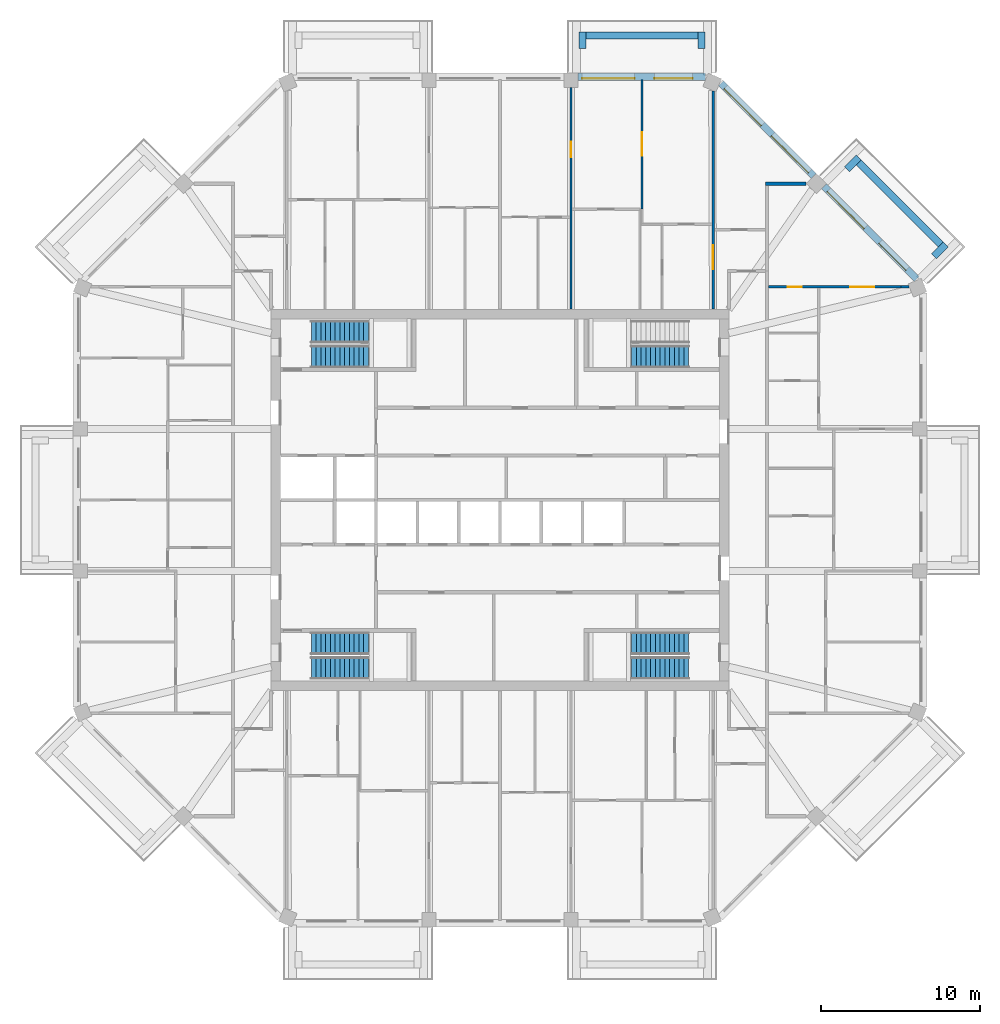
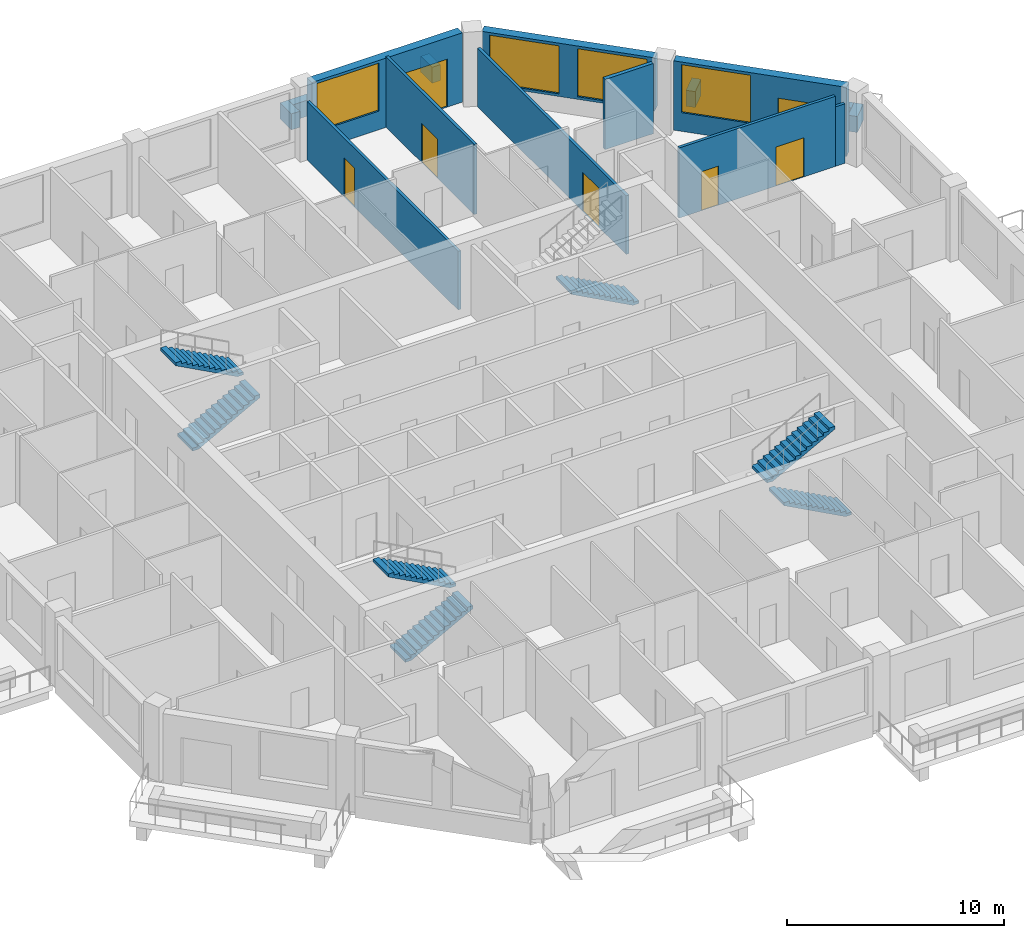
# One storey, part 10 of 13: 15 walls, 7 doors, 7 stair flights, 4 windows, 11 openings, 4 elements without a shape of their own.
"""IFC4 building model written with IfcOpenShell, lengths in metres."""

from ifc_helpers import new_model, si_unit, direction, frame, frame_2d, origin, place, context, subcontext, project, spatial, polyline, rectangle, outline, extrude, material, layer, layer_set, type_object, element, fill, aggregate, save


model = new_model("IFC4")

# Units and contexts
model_context = context("Model", 3, precision=1e-05, world=origin(), true_north=direction((0.0, 1.0)))
body_context = subcontext(model_context, "Body", "Model", "MODEL_VIEW")
ifc_project = project(units=[si_unit("LENGTHUNIT", "METRE"), si_unit("AREAUNIT", "SQUARE_METRE"), si_unit("VOLUMEUNIT", "CUBIC_METRE"), si_unit("PLANEANGLEUNIT", "RADIAN"), si_unit("MASSUNIT", "GRAM", prefix="KILO")], contexts=[model_context])

# Site, building, storey
site_placement = place(None, origin())
site = spatial("IfcSite", under=ifc_project, at=site_placement, CompositionType="ELEMENT")
building_placement = place(site_placement, origin())
building = spatial("IfcBuilding", under=site, at=building_placement, Name="Msitu Wima Residences", CompositionType="ELEMENT")
storey_placement = place(building_placement, frame((0.0, 0.0, 285.300048828125)))
storey = spatial("IfcBuildingStorey", under=building, at=storey_placement, Name="L66", CompositionType="ELEMENT", Elevation=285.300048828125)

# Walls
ifc_material_1 = material(Name="Facing brick")
ifc_layer_1 = layer(ifc_material_1, 0.06494140625, Name="Facing brick")
ifc_material_2 = material(Name="Concrete C40/50", Category="concrete")
ifc_layer_2 = layer(ifc_material_2, 0.156005859375, Name="Concrete C40/50")
ifc_material_3 = material(Name="Waterproofing membrane")
ifc_layer_3 = layer(ifc_material_3, 0.00390625, Name="Waterproofing membrane")
ifc_material_4 = material(Name="Planting soil and planting")
ifc_layer_4 = layer(ifc_material_4, 0.22509765625, Name="Planting soil and planting")
ifc_layer_set_1 = layer_set([ifc_layer_1, ifc_layer_2, ifc_layer_3, ifc_layer_4], Name="Concrete C40/50")
wall_type_1 = type_object("IfcWallType", Name="Balcony planter PLANTER PL450", PredefinedType="USERDEFINED", material=ifc_layer_set_1)
wall_1_placement = place(storey_placement, frame((27.725830078125, 16.0751953125, 0.0), z_axis=(0.0, 0.0, 1.0), x_axis=(-0.707106781187, 0.707106781187, 0.0)))
element("IfcWall", 1, at=wall_1_placement, inside=storey, type_object=wall_type_1, Name="Balcony planter NE0 L66", ObjectType="PLANTER", PredefinedType="USERDEFINED", context=body_context, shape_type="SweptSolid", body=[
    extrude(rectangle(XDim=7.288330078125, YDim=0.449951171875, at=frame_2d((3.64404296875, 0.0))), origin(), (0.0, 0.0, 1.0), 0.89990234375),
])
for number, where, z_axis, x_axis, name in (
    (2, (27.301513671875, 15.332763671875, 0.0), (0.0, 0.0, 1.0), (0.707106781187, 0.707106781187, 0.0), "Balcony planter NE0 L66"),
    (3, (21.829833984375, 20.804443359375, 0.0), (0.0, 0.0, 1.0), (0.707106781187, 0.707106781187, 0.0), "Balcony planter NE0 L66"),
):
    element("IfcWall", number, at=place(storey_placement, frame(where, z_axis=z_axis, x_axis=x_axis)), inside=storey, type_object=wall_type_1, Name=name, ObjectType="PLANTER", PredefinedType="USERDEFINED", context=body_context, shape_type="SweptSolid", body=[
        extrude(rectangle(XDim=1.050048828125, YDim=0.449951171875, at=frame_2d((0.52490234375, 0.0))), origin(), (0.0, 0.0, 1.0), 0.89990234375),
    ])
wall_2_placement = place(storey_placement, frame((12.455810546875, 29.22509765625, 0.0), z_axis=(0.0, 0.0, 1.0), x_axis=(-1.0, 0.0, 0.0)))
element("IfcWall", 4, at=wall_2_placement, inside=storey, type_object=wall_type_1, Name="Balcony planter N0 L66", ObjectType="PLANTER", PredefinedType="USERDEFINED", context=body_context, shape_type="SweptSolid", body=[
    extrude(rectangle(XDim=7.037109375, YDim=0.449951171875, at=frame_2d((3.5185546875, 0.0))), origin(), (0.0, 0.0, 1.0), 0.89990234375),
])
for number, where, z_axis, x_axis, name in (
    (5, (12.680908203125, 28.39990234375, 0.0), (0.0, 0.0, 1.0), (0.0, 1.0, 0.0), "Balcony planter N0 L66"),
    (6, (5.193603515625, 28.39990234375, 0.0), (0.0, 0.0, 1.0), (0.0, 1.0, 0.0), "Balcony planter N0 L66"),
):
    element("IfcWall", number, at=place(storey_placement, frame(where, z_axis=z_axis, x_axis=x_axis)), inside=storey, type_object=wall_type_1, Name=name, ObjectType="PLANTER", PredefinedType="USERDEFINED", context=body_context, shape_type="SweptSolid", body=[
        extrude(rectangle(XDim=1.050048828125, YDim=0.449951171875, at=frame_2d((0.52490234375, 0.0))), origin(), (0.0, 0.0, 1.0), 0.89990234375),
    ])

# Wall, openings, door, window
ifc_material_5 = material(Name="Brick (red buff mix)", Category="masonry")
ifc_layer_5 = layer(ifc_material_5, 0.449951171875)
ifc_layer_set_2 = layer_set([ifc_layer_5], Name="Brick (red buff mix)")
wall_type_2 = type_object("IfcWallType", Name="Brick infill wall BW450", PredefinedType="SOLIDWALL", material=ifc_layer_set_2)
wall_3_placement = place(storey_placement, frame((26.214599609375, 13.909423828125, 0.0), z_axis=(0.0, 0.0, 1.0), x_axis=(-0.707106781187, 0.707106781187, 0.0)))
wall_3 = element("IfcWall", 7, at=wall_3_placement, inside=storey, type_object=wall_type_2, Name="Brick infill wall L66 NE0", PredefinedType="SOLIDWALL", context=body_context, shape_type="SweptSolid", body=[
    extrude(rectangle(XDim=8.251220703125, YDim=0.449951171875, at=frame_2d((4.12548828125, 0.0))), origin(), (0.0, 0.0, 1.0), 3.89990234375),
])
opening_1_placement = place(wall_3_placement, frame((0.86279296875, 0.0, 0.0)))
opening_1 = element("IfcOpeningElement", 8, at=opening_1_placement, cuts=wall_3, Name="Opening D65-67.004", PredefinedType="OPENING", context=body_context, shape_type="SweptSolid", body=[
    extrude(rectangle(XDim=2.39990234375, YDim=2.699951171875, at=frame_2d((1.199951171875, 1.35009765625))), frame((0.0, 0.23486328125, 0.0), z_axis=(0.0, -1.0, 0.0), x_axis=(1.0, 0.0, 0.0)), (0.0, 0.0, 1.0), 0.469970703125),
])
opening_2_placement = place(wall_3_placement, frame((4.57568359375, 0.0, 1.050048828125)))
opening_2 = element("IfcOpeningElement", 9, at=opening_2_placement, cuts=wall_3, Name="Opening W65-67.010", PredefinedType="OPENING", context=body_context, shape_type="SweptSolid", body=[
    extrude(rectangle(XDim=3.300048828125, YDim=2.699951171875, at=frame_2d((1.64990234375, 1.35009765625))), frame((0.0, 0.23486328125, 0.0), z_axis=(0.0, -1.0, 0.0), x_axis=(1.0, 0.0, 0.0)), (0.0, 0.0, 1.0), 0.469970703125),
])
ifc_material_6 = material(Name="Anodised aluminium, bronze finish, clear low-emissivity double glazing", Category="aluminium")
door_type_1 = type_object("IfcDoorType", Name="Balcony door D2400x2700", OperationType="SLIDING_TO_LEFT", PredefinedType="DOOR", material=ifc_material_6)
door_1_placement = place(opening_1_placement, origin())
door_1 = element("IfcDoor", 10, at=door_1_placement, inside=storey, type_object=door_type_1, Name="Balcony door L66 NE0", OperationType="SINGLE_SWING_LEFT", OverallHeight=2.699951171875, OverallWidth=2.39990234375, PredefinedType="DOOR", context=body_context, shape_type="SweptSolid", body=[
    extrude(rectangle(XDim=2.39990234375, YDim=2.699951171875, at=frame_2d((1.199951171875, 1.35009765625))), frame((0.0, 0.1298828125, 0.0), z_axis=(0.0, -1.0, 0.0), x_axis=(1.0, 0.0, 0.0)), (0.0, 0.0, 1.0), 0.050048828125),
])
fill(opening_1, door_1)
window_type = type_object("IfcWindowType", Name="Window W3300x2700", PartitioningType="DOUBLE_PANEL_VERTICAL", PredefinedType="WINDOW", material=ifc_material_6)
window_1_placement = place(opening_2_placement, origin())
window_1 = element("IfcWindow", 11, at=window_1_placement, inside=storey, type_object=window_type, Name="Window L66 NE0.2", OverallHeight=2.699951171875, OverallWidth=3.300048828125, PartitioningType="SINGLE_PANEL", PredefinedType="WINDOW", context=body_context, shape_type="SweptSolid", body=[
    extrude(rectangle(XDim=3.300048828125, YDim=2.699951171875, at=frame_2d((1.64990234375, 1.35009765625))), frame((0.0, 0.135009765625, 0.0), z_axis=(0.0, -1.0, 0.0), x_axis=(1.0, 0.0, 0.0)), (0.0, 0.0, 1.0), 0.06005859375),
])
fill(opening_2, window_1)

# Wall, openings, windows
wall_4_placement = place(storey_placement, frame((19.743896484375, 20.380126953125, 0.89990234375), z_axis=(0.0, 0.0, 1.0), x_axis=(-0.707106781187, 0.707106781187, 0.0)))
wall_4 = element("IfcWall", 12, at=wall_4_placement, inside=storey, type_object=wall_type_2, Name="Brick infill wall L66 NE1", PredefinedType="SOLIDWALL", context=body_context, shape_type="SweptSolid", body=[
    extrude(rectangle(XDim=8.251220703125, YDim=0.449951171875, at=frame_2d((4.12548828125, 0.0))), origin(), (0.0, 0.0, 1.0), 3.0),
])
opening_3_placement = place(wall_4_placement, frame((0.37548828125, 0.0, 0.14990234375)))
opening_3 = element("IfcOpeningElement", 13, at=opening_3_placement, cuts=wall_4, Name="Opening W65-67.011", PredefinedType="OPENING", context=body_context, shape_type="SweptSolid", body=[
    extrude(rectangle(XDim=3.300048828125, YDim=2.699951171875, at=frame_2d((1.64990234375, 1.35009765625))), frame((0.0, 0.23486328125, 0.0), z_axis=(0.0, -1.0, 0.0), x_axis=(1.0, 0.0, 0.0)), (0.0, 0.0, 1.0), 0.469970703125),
])
opening_4_placement = place(wall_4_placement, frame((4.57568359375, 0.0, 0.14990234375)))
opening_4 = element("IfcOpeningElement", 14, at=opening_4_placement, cuts=wall_4, Name="Opening W65-67.012", PredefinedType="OPENING", context=body_context, shape_type="SweptSolid", body=[
    extrude(rectangle(XDim=3.300048828125, YDim=2.699951171875, at=frame_2d((1.64990234375, 1.35009765625))), frame((0.0, 0.23486328125, 0.0), z_axis=(0.0, -1.0, 0.0), x_axis=(1.0, 0.0, 0.0)), (0.0, 0.0, 1.0), 0.469970703125),
])
window_2_placement = place(opening_3_placement, origin())
window_2 = element("IfcWindow", 15, at=window_2_placement, inside=storey, type_object=window_type, Name="Window L66 NE1.1", OverallHeight=2.699951171875, OverallWidth=3.300048828125, PartitioningType="SINGLE_PANEL", PredefinedType="WINDOW", context=body_context, shape_type="SweptSolid", body=[
    extrude(rectangle(XDim=3.300048828125, YDim=2.699951171875, at=frame_2d((1.64990234375, 1.35009765625))), frame((0.0, 0.135009765625, 0.0), z_axis=(0.0, -1.0, 0.0), x_axis=(1.0, 0.0, 0.0)), (0.0, 0.0, 1.0), 0.06005859375),
])
fill(opening_3, window_2)
window_3_placement = place(opening_4_placement, origin())
window_3 = element("IfcWindow", 16, at=window_3_placement, inside=storey, type_object=window_type, Name="Window L66 NE1.2", OverallHeight=2.699951171875, OverallWidth=3.300048828125, PartitioningType="SINGLE_PANEL", PredefinedType="WINDOW", context=body_context, shape_type="SweptSolid", body=[
    extrude(rectangle(XDim=3.300048828125, YDim=2.699951171875, at=frame_2d((1.64990234375, 1.35009765625))), frame((0.0, 0.135009765625, 0.0), z_axis=(0.0, -1.0, 0.0), x_axis=(1.0, 0.0, 0.0)), (0.0, 0.0, 1.0), 0.06005859375),
])
fill(opening_4, window_3)

# Wall, openings, door, window
wall_5_placement = place(storey_placement, frame((12.918701171875, 26.625, 0.0), z_axis=(0.0, 0.0, 1.0), x_axis=(-1.0, 0.0, 0.0)))
wall_5 = element("IfcWall", 17, at=wall_5_placement, inside=storey, type_object=wall_type_2, Name="Brick infill wall L66 N0", PredefinedType="SOLIDWALL", context=body_context, shape_type="SweptSolid", body=[
    extrude(rectangle(XDim=8.0, YDim=0.449951171875, at=frame_2d((4.0, 0.0))), origin(), (0.0, 0.0, 1.0), 3.89990234375),
])
opening_5_placement = place(wall_5_placement, frame((0.800048828125, 0.0, 0.0)))
opening_5 = element("IfcOpeningElement", 18, at=opening_5_placement, cuts=wall_5, Name="Opening D65-67.002", PredefinedType="OPENING", context=body_context, shape_type="SweptSolid", body=[
    extrude(rectangle(XDim=2.39990234375, YDim=2.699951171875, at=frame_2d((1.199951171875, 1.35009765625))), frame((0.0, 0.23486328125, 0.0), z_axis=(0.0, -1.0, 0.0), x_axis=(1.0, 0.0, 0.0)), (0.0, 0.0, 1.0), 0.469970703125),
])
opening_6_placement = place(wall_5_placement, frame((4.4501953125, 0.0, 1.050048828125)))
opening_6 = element("IfcOpeningElement", 19, at=opening_6_placement, cuts=wall_5, Name="Opening W65-67.006", PredefinedType="OPENING", context=body_context, shape_type="SweptSolid", body=[
    extrude(rectangle(XDim=3.300048828125, YDim=2.699951171875, at=frame_2d((1.64990234375, 1.35009765625))), frame((0.0, 0.23486328125, 0.0), z_axis=(0.0, -1.0, 0.0), x_axis=(1.0, 0.0, 0.0)), (0.0, 0.0, 1.0), 0.469970703125),
])
door_2_placement = place(opening_5_placement, origin())
door_2 = element("IfcDoor", 20, at=door_2_placement, inside=storey, type_object=door_type_1, Name="Balcony door L66 N0", OperationType="SINGLE_SWING_LEFT", OverallHeight=2.699951171875, OverallWidth=2.39990234375, PredefinedType="DOOR", context=body_context, shape_type="SweptSolid", body=[
    extrude(rectangle(XDim=2.39990234375, YDim=2.699951171875, at=frame_2d((1.199951171875, 1.35009765625))), frame((0.0, 0.1298828125, 0.0), z_axis=(0.0, -1.0, 0.0), x_axis=(1.0, 0.0, 0.0)), (0.0, 0.0, 1.0), 0.050048828125),
])
fill(opening_5, door_2)
window_4_placement = place(opening_6_placement, origin())
window_4 = element("IfcWindow", 21, at=window_4_placement, inside=storey, type_object=window_type, Name="Window L66 N0.2", OverallHeight=2.699951171875, OverallWidth=3.300048828125, PartitioningType="SINGLE_PANEL", PredefinedType="WINDOW", context=body_context, shape_type="SweptSolid", body=[
    extrude(rectangle(XDim=3.300048828125, YDim=2.699951171875, at=frame_2d((1.64990234375, 1.35009765625))), frame((0.0, 0.135009765625, 0.0), z_axis=(0.0, -1.0, 0.0), x_axis=(1.0, 0.0, 0.0)), (0.0, 0.0, 1.0), 0.06005859375),
])
fill(opening_6, window_4)

# Wall, opening, door
ifc_material_7 = material(Name="Plaster")
ifc_layer_6 = layer(ifc_material_7, 0.011962890625, Name="Plaster")
ifc_material_8 = material(Name="Concrete blockwork", Category="masonry")
ifc_layer_7 = layer(ifc_material_8, 0.1259765625, Name="Concrete blockwork")
ifc_layer_8 = layer(ifc_material_7, 0.011962890625, Name="Plaster")
ifc_layer_set_3 = layer_set([ifc_layer_6, ifc_layer_7, ifc_layer_8], Name="Concrete blockwork")
wall_type_3 = type_object("IfcWallType", Name="Partition PW150", PredefinedType="PARTITIONING", material=ifc_layer_set_3)
wall_6_placement = place(storey_placement, frame((4.46875, 12.030029296875, 0.0), z_axis=(0.0, 0.0, 1.0), x_axis=(0.0, 1.0, 0.0)))
wall_6 = element("IfcWall", 22, at=wall_6_placement, inside=storey, type_object=wall_type_3, Name="Partition", PredefinedType="PARTITIONING", context=body_context, shape_type="SweptSolid", body=[
    extrude(rectangle(XDim=13.919921875, YDim=0.14990234375, at=frame_2d((6.9599609375, 0.0))), origin(), (0.0, 0.0, 1.0), 3.300048828125),
])
opening_7_placement = place(wall_6_placement, frame((9.550048828125, 0.0, 0.0)))
opening_7 = element("IfcOpeningElement", 23, at=opening_7_placement, cuts=wall_6, Name="Opening D65-67.029", PredefinedType="OPENING", context=body_context, shape_type="SweptSolid", body=[
    extrude(rectangle(XDim=0.949951171875, YDim=2.199951171875, at=frame_2d((0.47509765625, 1.10009765625))), frame((0.0, 0.0849609375, 0.0), z_axis=(0.0, -1.0, 0.0), x_axis=(1.0, 0.0, 0.0)), (0.0, 0.0, 1.0), 0.169921875),
])
ifc_material_9 = material(Name="Timber flush door", Category="wood")
door_type_2 = type_object("IfcDoorType", Name="Room door D12 950x2200", OperationType="SINGLE_SWING_LEFT", PredefinedType="DOOR", material=ifc_material_9)
door_3_placement = place(opening_7_placement, origin())
door_3 = element("IfcDoor", 24, at=door_3_placement, inside=storey, type_object=door_type_2, Name="Room door", OperationType="SINGLE_SWING_RIGHT", OverallHeight=2.199951171875, OverallWidth=0.949951171875, PredefinedType="DOOR", context=body_context, shape_type="SweptSolid", body=[
    extrude(rectangle(XDim=0.949951171875, YDim=2.199951171875, at=frame_2d((0.47509765625, 1.10009765625))), frame((0.0, 0.02490234375, 0.0), z_axis=(0.0, -1.0, 0.0), x_axis=(1.0, 0.0, 0.0)), (0.0, 0.0, 1.0), 0.050048828125),
])
fill(opening_7, door_3)

wall_7_placement = place(storey_placement, frame((8.937255859375, 18.300048828125, 0.0), z_axis=(0.0, 0.0, 1.0), x_axis=(0.0, 1.0, 0.0)))
wall_7 = element("IfcWall", 25, at=wall_7_placement, inside=storey, type_object=wall_type_3, Name="Partition", PredefinedType="PARTITIONING", context=body_context, shape_type="SweptSolid", body=[
    extrude(rectangle(XDim=8.155029296875, YDim=0.14990234375, at=frame_2d((4.07763671875, 0.0))), origin(), (0.0, 0.0, 1.0), 3.949951171875),
])
opening_8_placement = place(wall_7_placement, frame((3.35009765625, 0.0, 0.0)))
opening_8 = element("IfcOpeningElement", 26, at=opening_8_placement, cuts=wall_7, Name="Opening D65-67.027", PredefinedType="OPENING", context=body_context, shape_type="SweptSolid", body=[
    extrude(rectangle(XDim=1.5, YDim=2.199951171875, at=frame_2d((0.75, 1.10009765625))), frame((0.0, 0.0849609375, 0.0), z_axis=(0.0, -1.0, 0.0), x_axis=(1.0, 0.0, 0.0)), (0.0, 0.0, 1.0), 0.169921875),
])
ifc_material_10 = material(Name="Timber double door", Category="wood")
door_type_3 = type_object("IfcDoorType", Name="Double door D04 1500x2200", OperationType="DOUBLE_DOOR_SINGLE_SWING", PredefinedType="DOOR", material=ifc_material_10)
door_4_placement = place(opening_8_placement, origin())
door_4 = element("IfcDoor", 27, at=door_4_placement, inside=storey, type_object=door_type_3, Name="Double door", OperationType="DOUBLE_DOOR_SINGLE_SWING", OverallHeight=2.199951171875, OverallWidth=1.5, PredefinedType="DOOR", context=body_context, shape_type="SweptSolid", body=[
    extrude(rectangle(XDim=1.5, YDim=2.199951171875, at=frame_2d((0.75, 1.10009765625))), frame((0.0, 0.02490234375, 0.0), z_axis=(0.0, -1.0, 0.0), x_axis=(1.0, 0.0, 0.0)), (0.0, 0.0, 1.0), 0.050048828125),
])
fill(opening_8, door_4)

wall_8_placement = place(storey_placement, frame((13.406005859375, 12.030029296875, 0.0), z_axis=(0.0, 0.0, 1.0), x_axis=(0.0, 1.0, 0.0)))
wall_8 = element("IfcWall", 28, at=wall_8_placement, inside=storey, type_object=wall_type_3, Name="Partition", PredefinedType="PARTITIONING", context=body_context, shape_type="SweptSolid", body=[
    extrude(rectangle(XDim=13.701171875, YDim=0.14990234375, at=frame_2d((6.8505859375, 0.0))), origin(), (0.0, 0.0, 1.0), 3.300048828125),
])
opening_9_placement = place(wall_8_placement, frame((2.5, 0.0, 0.0)))
opening_9 = element("IfcOpeningElement", 29, at=opening_9_placement, cuts=wall_8, Name="Opening D65-67.023", PredefinedType="OPENING", context=body_context, shape_type="SweptSolid", body=[
    extrude(rectangle(XDim=1.5, YDim=2.199951171875, at=frame_2d((0.75, 1.10009765625))), frame((0.0, 0.0849609375, 0.0), z_axis=(0.0, -1.0, 0.0), x_axis=(1.0, 0.0, 0.0)), (0.0, 0.0, 1.0), 0.169921875),
])
door_5_placement = place(opening_9_placement, origin())
door_5 = element("IfcDoor", 30, at=door_5_placement, inside=storey, type_object=door_type_3, Name="Double door", OperationType="DOUBLE_DOOR_SINGLE_SWING", OverallHeight=2.199951171875, OverallWidth=1.5, PredefinedType="DOOR", context=body_context, shape_type="SweptSolid", body=[
    extrude(rectangle(XDim=1.5, YDim=2.199951171875, at=frame_2d((0.75, 1.10009765625))), frame((0.0, 0.02490234375, 0.0), z_axis=(0.0, -1.0, 0.0), x_axis=(1.0, 0.0, 0.0)), (0.0, 0.0, 1.0), 0.050048828125),
])
fill(opening_9, door_5)

# Wall, openings, doors
wall_9_placement = place(storey_placement, frame((16.89990234375, 13.406005859375, 0.0), z_axis=(0.0, 0.0, 1.0), x_axis=(1.0, 0.0, 0.0)))
wall_9 = element("IfcWall", 31, at=wall_9_placement, inside=storey, type_object=wall_type_3, Name="Partition", PredefinedType="PARTITIONING", context=body_context, shape_type="SweptSolid", body=[
    extrude(rectangle(XDim=8.32421875, YDim=0.14990234375, at=frame_2d((4.162109375, 0.0))), origin(), (0.0, 0.0, 1.0), 3.949951171875),
])
opening_10_placement = place(wall_9_placement, frame((5.14990234375, 0.0, 0.0)))
opening_10 = element("IfcOpeningElement", 32, at=opening_10_placement, cuts=wall_9, Name="Opening D65-67.019", PredefinedType="OPENING", context=body_context, shape_type="SweptSolid", body=[
    extrude(rectangle(XDim=1.5, YDim=2.199951171875, at=frame_2d((0.75, 1.10009765625))), frame((0.0, 0.0849609375, 0.0), z_axis=(0.0, -1.0, 0.0), x_axis=(1.0, 0.0, 0.0)), (0.0, 0.0, 1.0), 0.169921875),
])
opening_11_placement = place(wall_9_placement, frame((1.199951171875, 0.0, 0.0)))
opening_11 = element("IfcOpeningElement", 33, at=opening_11_placement, cuts=wall_9, Name="Opening D65-67.013", PredefinedType="OPENING", context=body_context, shape_type="SweptSolid", body=[
    extrude(rectangle(XDim=0.89990234375, YDim=2.199951171875, at=frame_2d((0.449951171875, 1.10009765625))), frame((0.0, 0.0849609375, 0.0), z_axis=(0.0, -1.0, 0.0), x_axis=(1.0, 0.0, 0.0)), (0.0, 0.0, 1.0), 0.169921875),
])
door_6_placement = place(opening_10_placement, origin())
door_6 = element("IfcDoor", 34, at=door_6_placement, inside=storey, type_object=door_type_3, Name="Double door", OperationType="DOUBLE_DOOR_SINGLE_SWING", OverallHeight=2.199951171875, OverallWidth=1.5, PredefinedType="DOOR", context=body_context, shape_type="SweptSolid", body=[
    extrude(rectangle(XDim=1.5, YDim=2.199951171875, at=frame_2d((0.75, 1.10009765625))), frame((0.0, 0.02490234375, 0.0), z_axis=(0.0, -1.0, 0.0), x_axis=(1.0, 0.0, 0.0)), (0.0, 0.0, 1.0), 0.050048828125),
])
fill(opening_10, door_6)
door_type_4 = type_object("IfcDoorType", Name="Service door D05 900x2200", OperationType="SINGLE_SWING_LEFT", PredefinedType="DOOR", material=ifc_material_9)
door_7_placement = place(opening_11_placement, origin())
door_7 = element("IfcDoor", 35, at=door_7_placement, inside=storey, type_object=door_type_4, Name="Service door", OperationType="SINGLE_SWING_LEFT", OverallHeight=2.199951171875, OverallWidth=0.89990234375, PredefinedType="DOOR", context=body_context, shape_type="SweptSolid", body=[
    extrude(rectangle(XDim=0.89990234375, YDim=2.199951171875, at=frame_2d((0.449951171875, 1.10009765625))), frame((0.0, 0.02490234375, 0.0), z_axis=(0.0, -1.0, 0.0), x_axis=(1.0, 0.0, 0.0)), (0.0, 0.0, 1.0), 0.050048828125),
])
fill(opening_11, door_7)

# Walls
wall_10_placement = place(storey_placement, frame((25.22412109375, 13.406005859375, 0.0), z_axis=(0.0, 0.0, 1.0), x_axis=(1.0, 0.0, 0.0)))
element("IfcWall", 36, at=wall_10_placement, inside=storey, type_object=wall_type_3, Name="Partition", PredefinedType="PARTITIONING", context=body_context, shape_type="SweptSolid", body=[
    extrude(rectangle(XDim=0.507080078125, YDim=0.14990234375, at=frame_2d((0.25341796875, 0.0))), origin(), (0.0, 0.0, 1.0), 3.349853515625),
])
ifc_layer_9 = layer(ifc_material_7, 0.011962890625, Name="Plaster")
ifc_material_11 = material(Name="Dense concrete blockwork", Category="masonry")
ifc_layer_10 = layer(ifc_material_11, 0.176025390625, Name="Dense concrete blockwork")
ifc_layer_11 = layer(ifc_material_7, 0.011962890625, Name="Plaster")
ifc_layer_set_4 = layer_set([ifc_layer_9, ifc_layer_10, ifc_layer_11], Name="Dense concrete blockwork")
wall_type_4 = type_object("IfcWallType", Name="Party wall PW200", PredefinedType="PARTITIONING", material=ifc_layer_set_4)
wall_11_placement = place(storey_placement, frame((16.699951171875, 19.90283203125, 0.0), z_axis=(0.0, 0.0, 1.0), x_axis=(1.0, 0.0, 0.0)))
element("IfcWall", 37, at=wall_11_placement, inside=storey, type_object=wall_type_4, Name="Party wall", PredefinedType="PARTITIONING", context=body_context, shape_type="SweptSolid", body=[
    extrude(rectangle(XDim=2.566650390625, YDim=0.199951171875, at=frame_2d((1.283203125, 0.0))), origin(), (0.0, 0.0, 1.0), 3.949951171875),
])

# Stair, stair flights
stair_type = type_object("IfcStairType", Name="Exit stair ES1615-140", PredefinedType="HALF_TURN_STAIR", material=ifc_material_2)
stair_1_placement = place(storey_placement, origin())
stair_1 = element("IfcStair", 38, at=stair_1_placement, inside=storey, type_object=stair_type, Name="Exit stair 1", PredefinedType="HALF_TURN_STAIR")
stair_flight_type = type_object("IfcStairFlightType", Name="Exit stair flight ES1615-140", PredefinedType="STRAIGHT", material=ifc_material_2)
stair_flight_1_placement = place(storey_placement, frame((-11.875, 9.02490234375, 0.0), z_axis=(0.0, 0.0, 1.0), x_axis=(1.0, 0.0, 0.0)))
stair_flight_1 = element("IfcStairFlight", 39, at=stair_flight_1_placement, type_object=stair_flight_type, Name="S1 flight 1", NumberOfRisers=13, NumberOfTreads=12, PredefinedType="STRAIGHT", RiserHeight=0.161538462, TreadLength=0.3, context=body_context, shape_type="SweptSolid", body=[
    extrude(outline(polyline([(0.0, 0.0), (0.0, 0.16162109375), (0.300048828125, 0.16162109375), (0.300048828125, 0.322998046875), (0.60009765625, 0.322998046875), (0.60009765625, 0.484619140625), (0.89990234375, 0.484619140625), (0.89990234375, 0.646240234375), (1.199951171875, 0.646240234375), (1.199951171875, 0.8076171875), (1.5, 0.8076171875), (1.5, 0.96923828125), (1.800048828125, 0.96923828125), (1.800048828125, 1.130859375), (2.10009765625, 1.130859375), (2.10009765625, 1.292236328125), (2.39990234375, 1.292236328125), (2.39990234375, 1.453857421875), (2.699951171875, 1.453857421875), (2.699951171875, 1.615478515625), (3.0, 1.615478515625), (3.0, 1.77685546875), (3.300048828125, 1.77685546875), (3.300048828125, 1.9384765625), (3.60009765625, 1.9384765625), (3.60009765625, 2.10009765625), (3.60009765625, 1.768310546875), (0.316162109375, 0.0), (0.0, 0.0)])), frame((0.0, 0.699951171875, 0.0), z_axis=(0.0, -1.0, 0.0), x_axis=(1.0, 0.0, 0.0)), (0.0, 0.0, 1.0), 1.39990234375),
])
stair_flight_2_placement = place(storey_placement, frame((-8.27490234375, 10.574951171875, 2.099853515625), z_axis=(0.0, 0.0, 1.0), x_axis=(-1.0, 0.0, 0.0)))
stair_flight_2 = element("IfcStairFlight", 40, at=stair_flight_2_placement, type_object=stair_flight_type, Name="S1 flight 2", NumberOfRisers=13, NumberOfTreads=12, PredefinedType="STRAIGHT", RiserHeight=0.161538462, TreadLength=0.3, context=body_context, shape_type="SweptSolid", body=[
    extrude(outline(polyline([(0.0, 0.0), (0.0, 0.16162109375), (0.300048828125, 0.16162109375), (0.300048828125, 0.322998046875), (0.60009765625, 0.322998046875), (0.60009765625, 0.484619140625), (0.89990234375, 0.484619140625), (0.89990234375, 0.646240234375), (1.199951171875, 0.646240234375), (1.199951171875, 0.8076171875), (1.5, 0.8076171875), (1.5, 0.96923828125), (1.800048828125, 0.96923828125), (1.800048828125, 1.130859375), (2.10009765625, 1.130859375), (2.10009765625, 1.292236328125), (2.39990234375, 1.292236328125), (2.39990234375, 1.453857421875), (2.699951171875, 1.453857421875), (2.699951171875, 1.615478515625), (3.0, 1.615478515625), (3.0, 1.77685546875), (3.300048828125, 1.77685546875), (3.300048828125, 1.9384765625), (3.60009765625, 1.9384765625), (3.60009765625, 2.10009765625), (3.60009765625, 1.768310546875), (0.316162109375, 0.0), (0.0, 0.0)])), frame((0.0, 0.699951171875, 0.0), z_axis=(0.0, -1.0, 0.0), x_axis=(1.0, 0.0, 0.0)), (0.0, 0.0, 1.0), 1.39990234375),
])
aggregate(stair_1, [stair_flight_1, stair_flight_2])

stair_2_placement = place(storey_placement, origin())
stair_2 = element("IfcStair", 41, at=stair_2_placement, inside=storey, type_object=stair_type, Name="Exit stair 2", PredefinedType="HALF_TURN_STAIR")
stair_flight_3_placement = place(storey_placement, frame((-11.875, -10.574951171875, 0.0), z_axis=(0.0, 0.0, 1.0), x_axis=(1.0, 0.0, 0.0)))
stair_flight_3 = element("IfcStairFlight", 42, at=stair_flight_3_placement, type_object=stair_flight_type, Name="S2 flight 1", NumberOfRisers=13, NumberOfTreads=12, PredefinedType="STRAIGHT", RiserHeight=0.161538462, TreadLength=0.3, context=body_context, shape_type="SweptSolid", body=[
    extrude(outline(polyline([(0.0, 0.0), (0.0, 0.16162109375), (0.300048828125, 0.16162109375), (0.300048828125, 0.322998046875), (0.60009765625, 0.322998046875), (0.60009765625, 0.484619140625), (0.89990234375, 0.484619140625), (0.89990234375, 0.646240234375), (1.199951171875, 0.646240234375), (1.199951171875, 0.8076171875), (1.5, 0.8076171875), (1.5, 0.96923828125), (1.800048828125, 0.96923828125), (1.800048828125, 1.130859375), (2.10009765625, 1.130859375), (2.10009765625, 1.292236328125), (2.39990234375, 1.292236328125), (2.39990234375, 1.453857421875), (2.699951171875, 1.453857421875), (2.699951171875, 1.615478515625), (3.0, 1.615478515625), (3.0, 1.77685546875), (3.300048828125, 1.77685546875), (3.300048828125, 1.9384765625), (3.60009765625, 1.9384765625), (3.60009765625, 2.10009765625), (3.60009765625, 1.768310546875), (0.316162109375, 0.0), (0.0, 0.0)])), frame((0.0, 0.699951171875, 0.0), z_axis=(0.0, -1.0, 0.0), x_axis=(1.0, 0.0, 0.0)), (0.0, 0.0, 1.0), 1.39990234375),
])
stair_flight_4_placement = place(storey_placement, frame((-8.27490234375, -9.02490234375, 2.099853515625), z_axis=(0.0, 0.0, 1.0), x_axis=(-1.0, 0.0, 0.0)))
stair_flight_4 = element("IfcStairFlight", 43, at=stair_flight_4_placement, type_object=stair_flight_type, Name="S2 flight 2", NumberOfRisers=13, NumberOfTreads=12, PredefinedType="STRAIGHT", RiserHeight=0.161538462, TreadLength=0.3, context=body_context, shape_type="SweptSolid", body=[
    extrude(outline(polyline([(0.0, 0.0), (0.0, 0.16162109375), (0.300048828125, 0.16162109375), (0.300048828125, 0.322998046875), (0.60009765625, 0.322998046875), (0.60009765625, 0.484619140625), (0.89990234375, 0.484619140625), (0.89990234375, 0.646240234375), (1.199951171875, 0.646240234375), (1.199951171875, 0.8076171875), (1.5, 0.8076171875), (1.5, 0.96923828125), (1.800048828125, 0.96923828125), (1.800048828125, 1.130859375), (2.10009765625, 1.130859375), (2.10009765625, 1.292236328125), (2.39990234375, 1.292236328125), (2.39990234375, 1.453857421875), (2.699951171875, 1.453857421875), (2.699951171875, 1.615478515625), (3.0, 1.615478515625), (3.0, 1.77685546875), (3.300048828125, 1.77685546875), (3.300048828125, 1.9384765625), (3.60009765625, 1.9384765625), (3.60009765625, 2.10009765625), (3.60009765625, 1.768310546875), (0.316162109375, 0.0), (0.0, 0.0)])), frame((0.0, 0.699951171875, 0.0), z_axis=(0.0, -1.0, 0.0), x_axis=(1.0, 0.0, 0.0)), (0.0, 0.0, 1.0), 1.39990234375),
])
aggregate(stair_2, [stair_flight_3, stair_flight_4])

# Stair, stair flight
stair_3_placement = place(storey_placement, origin())
stair_3 = element("IfcStair", 44, at=stair_3_placement, inside=storey, type_object=stair_type, Name="Exit stair 3", PredefinedType="HALF_TURN_STAIR")
stair_flight_5_placement = place(storey_placement, frame((11.875, 9.02490234375, 0.0), z_axis=(0.0, 0.0, 1.0), x_axis=(-1.0, 0.0, 0.0)))
stair_flight_5 = element("IfcStairFlight", 45, at=stair_flight_5_placement, type_object=stair_flight_type, Name="S3 flight 1", NumberOfRisers=13, NumberOfTreads=12, PredefinedType="STRAIGHT", RiserHeight=0.161538462, TreadLength=0.3, context=body_context, shape_type="SweptSolid", body=[
    extrude(outline(polyline([(0.0, 0.0), (0.0, 0.16162109375), (0.300048828125, 0.16162109375), (0.300048828125, 0.322998046875), (0.60009765625, 0.322998046875), (0.60009765625, 0.484619140625), (0.89990234375, 0.484619140625), (0.89990234375, 0.646240234375), (1.199951171875, 0.646240234375), (1.199951171875, 0.8076171875), (1.5, 0.8076171875), (1.5, 0.96923828125), (1.800048828125, 0.96923828125), (1.800048828125, 1.130859375), (2.10009765625, 1.130859375), (2.10009765625, 1.292236328125), (2.39990234375, 1.292236328125), (2.39990234375, 1.453857421875), (2.699951171875, 1.453857421875), (2.699951171875, 1.615478515625), (3.0, 1.615478515625), (3.0, 1.77685546875), (3.300048828125, 1.77685546875), (3.300048828125, 1.9384765625), (3.60009765625, 1.9384765625), (3.60009765625, 2.10009765625), (3.60009765625, 1.768310546875), (0.316162109375, 0.0), (0.0, 0.0)])), frame((0.0, 0.699951171875, 0.0), z_axis=(0.0, -1.0, 0.0), x_axis=(1.0, 0.0, 0.0)), (0.0, 0.0, 1.0), 1.39990234375),
])
aggregate(stair_3, [stair_flight_5])

# Stair, stair flights
stair_4_placement = place(storey_placement, origin())
stair_4 = element("IfcStair", 46, at=stair_4_placement, inside=storey, type_object=stair_type, Name="Exit stair 4", PredefinedType="HALF_TURN_STAIR")
stair_flight_6_placement = place(storey_placement, frame((11.875, -10.574951171875, 0.0), z_axis=(0.0, 0.0, 1.0), x_axis=(-1.0, 0.0, 0.0)))
stair_flight_6 = element("IfcStairFlight", 47, at=stair_flight_6_placement, type_object=stair_flight_type, Name="S4 flight 1", NumberOfRisers=13, NumberOfTreads=12, PredefinedType="STRAIGHT", RiserHeight=0.161538462, TreadLength=0.3, context=body_context, shape_type="SweptSolid", body=[
    extrude(outline(polyline([(0.0, 0.0), (0.0, 0.16162109375), (0.300048828125, 0.16162109375), (0.300048828125, 0.322998046875), (0.60009765625, 0.322998046875), (0.60009765625, 0.484619140625), (0.89990234375, 0.484619140625), (0.89990234375, 0.646240234375), (1.199951171875, 0.646240234375), (1.199951171875, 0.8076171875), (1.5, 0.8076171875), (1.5, 0.96923828125), (1.800048828125, 0.96923828125), (1.800048828125, 1.130859375), (2.10009765625, 1.130859375), (2.10009765625, 1.292236328125), (2.39990234375, 1.292236328125), (2.39990234375, 1.453857421875), (2.699951171875, 1.453857421875), (2.699951171875, 1.615478515625), (3.0, 1.615478515625), (3.0, 1.77685546875), (3.300048828125, 1.77685546875), (3.300048828125, 1.9384765625), (3.60009765625, 1.9384765625), (3.60009765625, 2.10009765625), (3.60009765625, 1.768310546875), (0.316162109375, 0.0), (0.0, 0.0)])), frame((0.0, 0.699951171875, 0.0), z_axis=(0.0, -1.0, 0.0), x_axis=(1.0, 0.0, 0.0)), (0.0, 0.0, 1.0), 1.39990234375),
])
stair_flight_7_placement = place(storey_placement, frame((8.27490234375, -9.02490234375, 2.099853515625), z_axis=(0.0, 0.0, 1.0), x_axis=(1.0, 0.0, 0.0)))
stair_flight_7 = element("IfcStairFlight", 48, at=stair_flight_7_placement, type_object=stair_flight_type, Name="S4 flight 2", NumberOfRisers=13, NumberOfTreads=12, PredefinedType="STRAIGHT", RiserHeight=0.161538462, TreadLength=0.3, context=body_context, shape_type="SweptSolid", body=[
    extrude(outline(polyline([(0.0, 0.0), (0.0, 0.16162109375), (0.300048828125, 0.16162109375), (0.300048828125, 0.322998046875), (0.60009765625, 0.322998046875), (0.60009765625, 0.484619140625), (0.89990234375, 0.484619140625), (0.89990234375, 0.646240234375), (1.199951171875, 0.646240234375), (1.199951171875, 0.8076171875), (1.5, 0.8076171875), (1.5, 0.96923828125), (1.800048828125, 0.96923828125), (1.800048828125, 1.130859375), (2.10009765625, 1.130859375), (2.10009765625, 1.292236328125), (2.39990234375, 1.292236328125), (2.39990234375, 1.453857421875), (2.699951171875, 1.453857421875), (2.699951171875, 1.615478515625), (3.0, 1.615478515625), (3.0, 1.77685546875), (3.300048828125, 1.77685546875), (3.300048828125, 1.9384765625), (3.60009765625, 1.9384765625), (3.60009765625, 2.10009765625), (3.60009765625, 1.768310546875), (0.316162109375, 0.0), (0.0, 0.0)])), frame((0.0, 0.699951171875, 0.0), z_axis=(0.0, -1.0, 0.0), x_axis=(1.0, 0.0, 0.0)), (0.0, 0.0, 1.0), 1.39990234375),
])
aggregate(stair_4, [stair_flight_6, stair_flight_7])

save(model, "model.ifc")
